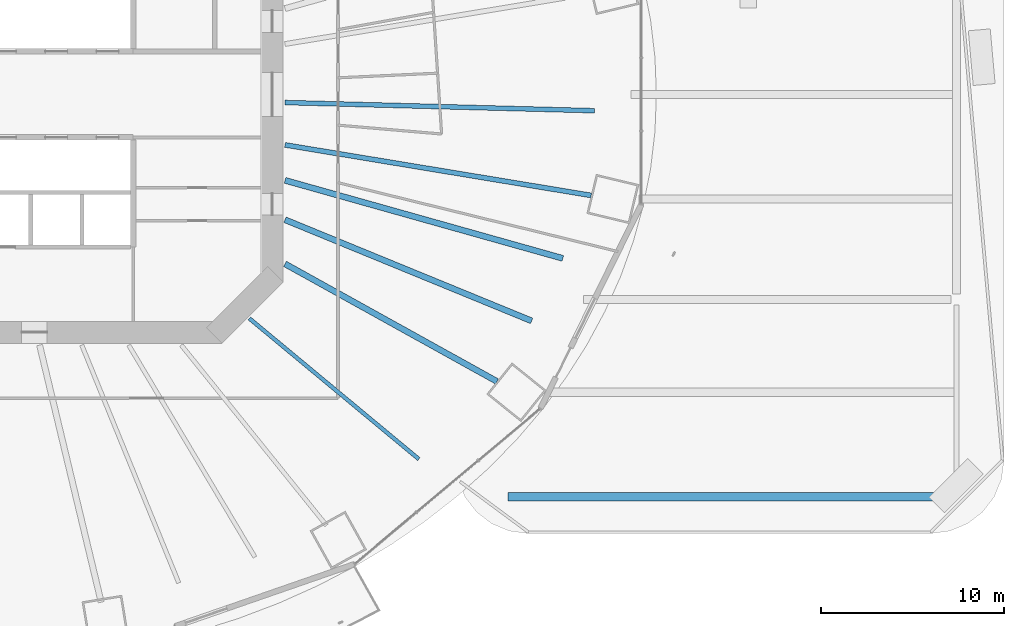
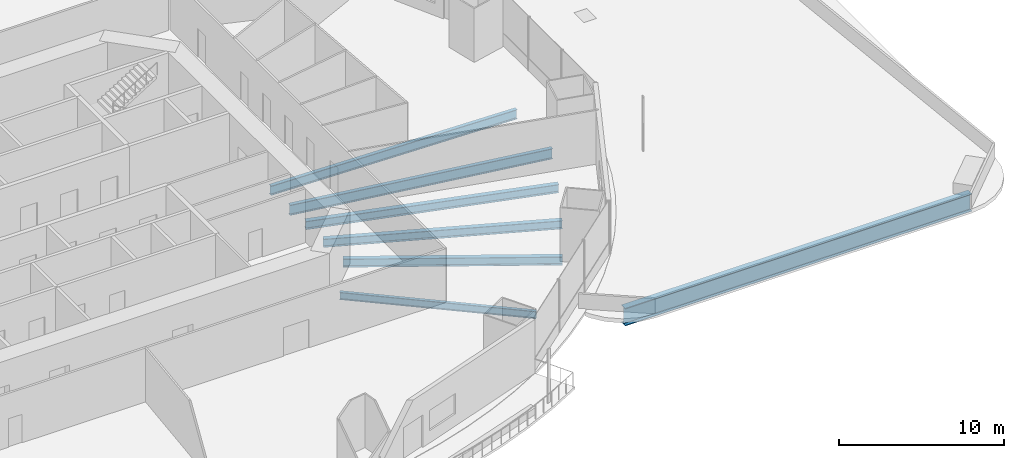
# One storey, part 12 of 27: 7 beams.
"""IFC4 building model written with IfcOpenShell, lengths in metres."""

from ifc_helpers import new_model, si_unit, direction, frame, origin, origin_2d, place, context, subcontext, project, spatial, i_section, extrude, material, material_profile, profile_set, type_object, element, save


model = new_model("IFC4")

# Units and contexts
model_context = context("Model", 3, precision=1e-05, world=origin(), true_north=direction((0.0, 1.0)))
body_context = subcontext(model_context, "Body", "Model", "MODEL_VIEW")
ifc_project = project(units=[si_unit("LENGTHUNIT", "METRE"), si_unit("AREAUNIT", "SQUARE_METRE"), si_unit("VOLUMEUNIT", "CUBIC_METRE"), si_unit("PLANEANGLEUNIT", "RADIAN"), si_unit("MASSUNIT", "GRAM", prefix="KILO")], contexts=[model_context])

# Site, building, storey
site_placement = place(None, origin())
site = spatial("IfcSite", under=ifc_project, at=site_placement, CompositionType="ELEMENT")
building_placement = place(site_placement, origin())
building = spatial("IfcBuilding", under=site, at=building_placement, Name="Marenthal Gate Tower", CompositionType="ELEMENT")
storey_placement = place(building_placement, frame((0.0, 0.0, 33.0)))
storey = spatial("IfcBuildingStorey", under=building, at=storey_placement, Name="L04", CompositionType="ELEMENT", Elevation=33.0)

# Beams
ifc_material_1 = material(Name="Steel S355", Category="steel")
ifc_material_profile_1 = material_profile(ifc_material_1, i_section(OverallWidth=0.4599609375, OverallDepth=1.300048828125, WebThickness=0.02490234375, FlangeThickness=0.044921875, at=origin_2d()), Name="PLATE GIRDER 1300X460X25X45")
ifc_profile_set_1 = profile_set([ifc_material_profile_1], Name="Steel S355")
beam_type_1 = type_object("IfcBeamType", Name="PLATE GIRDER 1300X460X25X45 beam", PredefinedType="BEAM", material=ifc_profile_set_1)
beam_1_placement = place(storey_placement, frame((28.89990234375, -22.0, -0.989990234375), z_axis=(1.0, 0.0, 0.0), x_axis=(0.0, 1.0, 0.0)))
element("IfcBeam", 1, at=beam_1_placement, inside=storey, type_object=beam_type_1, Name="BM-L04-104", PredefinedType="BEAM", context=body_context, shape_type="SweptSolid", body=[
    extrude(i_section(OverallWidth=0.4599609375, OverallDepth=1.300048828125, WebThickness=0.02490234375, FlangeThickness=0.044921875, at=origin_2d()), origin(), (0.0, 0.0, 1.0), 24.2001953125),
])
ifc_material_2 = material(Name="Steel S355", Category="steel")
ifc_material_profile_2 = material_profile(ifc_material_2, i_section(OverallWidth=0.2119140625, OverallDepth=0.5439453125, WebThickness=0.01318359375, FlangeThickness=0.021240234375, FilletRadius=0.0126953125, at=origin_2d()), Name="W530X123")
ifc_profile_set_2 = profile_set([ifc_material_profile_2], Name="Steel S355")
beam_type_2 = type_object("IfcBeamType", Name="W530X123 beam", PredefinedType="BEAM", material=ifc_profile_set_2)
beam_2_placement = place(storey_placement, frame((24.014404296875, -19.9326171875, -0.451904296875), z_axis=(-0.76947943944, 0.638671584055, 0.0), x_axis=(-0.638671584055, -0.76947943944, 0.0)))
element("IfcBeam", 2, at=beam_2_placement, inside=storey, type_object=beam_type_2, Name="BM-L04-37", PredefinedType="BEAM", context=body_context, shape_type="SweptSolid", body=[
    extrude(i_section(OverallWidth=0.2119140625, OverallDepth=0.5439453125, WebThickness=0.01318359375, FlangeThickness=0.021240234375, FilletRadius=0.0126953125, at=origin_2d()), origin(), (0.0, 0.0, 1.0), 12.0419921875),
])
ifc_material_3 = material(Name="Steel S355", Category="steel")
ifc_material_profile_3 = material_profile(ifc_material_3, i_section(OverallWidth=0.324951171875, OverallDepth=0.612060546875, WebThickness=0.0126953125, FlangeThickness=0.01904296875, FilletRadius=0.0126953125, at=origin_2d()), Name="W610X155")
ifc_profile_set_3 = profile_set([ifc_material_profile_3], Name="Steel S355")
beam_type_3 = type_object("IfcBeamType", Name="W610X155 beam", PredefinedType="BEAM", material=ifc_profile_set_3)
beam_3_placement = place(storey_placement, frame((28.285888671875, -15.6875, -0.486083984375), z_axis=(-0.874512560522, 0.485002867506, 0.0), x_axis=(-0.485002867506, -0.874512560522, 0.0)))
element("IfcBeam", 3, at=beam_3_placement, inside=storey, type_object=beam_type_3, Name="BM-L04-15", PredefinedType="BEAM", context=body_context, shape_type="SweptSolid", body=[
    extrude(i_section(OverallWidth=0.324951171875, OverallDepth=0.612060546875, WebThickness=0.0126953125, FlangeThickness=0.01904296875, FilletRadius=0.0126953125, at=origin_2d()), origin(), (0.0, 0.0, 1.0), 13.24853515625),
])
beam_4_placement = place(storey_placement, frame((30.18017578125, -12.376953125, -0.486083984375), z_axis=(-0.925223376973, 0.379422854746, 0.0), x_axis=(-0.379422854746, -0.925223376973, 0.0)))
element("IfcBeam", 4, at=beam_4_placement, inside=storey, type_object=beam_type_3, Name="BM-L04-38", PredefinedType="BEAM", context=body_context, shape_type="SweptSolid", body=[
    extrude(i_section(OverallWidth=0.324951171875, OverallDepth=0.612060546875, WebThickness=0.0126953125, FlangeThickness=0.01904296875, FilletRadius=0.0126953125, at=origin_2d()), origin(), (0.0, 0.0, 1.0), 14.569580078125),
])
beam_5_placement = place(storey_placement, frame((31.884521484375, -8.961181640625, -0.486083984375), z_axis=(-0.962701855146, 0.27056448048, 0.0), x_axis=(-0.27056448048, -0.962701855146, 0.0)))
element("IfcBeam", 5, at=beam_5_placement, inside=storey, type_object=beam_type_3, Name="BM-L04-39", PredefinedType="BEAM", context=body_context, shape_type="SweptSolid", body=[
    extrude(i_section(OverallWidth=0.324951171875, OverallDepth=0.612060546875, WebThickness=0.0126953125, FlangeThickness=0.01904296875, FilletRadius=0.0126953125, at=origin_2d()), origin(), (0.0, 0.0, 1.0), 15.77294921875),
])
ifc_material_4 = material(Name="Steel S355", Category="steel")
ifc_material_profile_4 = material_profile(ifc_material_4, i_section(OverallWidth=0.257080078125, OverallDepth=0.693115234375, WebThickness=0.014404296875, FlangeThickness=0.023681640625, FilletRadius=0.015380859375, at=origin_2d()), Name="W690X170")
ifc_profile_set_4 = profile_set([ifc_material_profile_4], Name="Steel S355")
beam_type_4 = type_object("IfcBeamType", Name="W690X170 beam", PredefinedType="BEAM", material=ifc_profile_set_4)
beam_6_placement = place(storey_placement, frame((33.62158203125, -0.88818359375, -0.526611328125), z_axis=(-0.999651249269, 0.026407950216, 0.0), x_axis=(-0.026407950216, -0.999651249269, 0.0)))
element("IfcBeam", 6, at=beam_6_placement, inside=storey, type_object=beam_type_4, Name="BM-L04-40", PredefinedType="BEAM", context=body_context, shape_type="SweptSolid", body=[
    extrude(i_section(OverallWidth=0.257080078125, OverallDepth=0.693115234375, WebThickness=0.014404296875, FlangeThickness=0.023681640625, FilletRadius=0.015380859375, at=origin_2d()), origin(), (0.0, 0.0, 1.0), 16.927490234375),
])
ifc_material_5 = material(Name="Steel S355", Category="steel")
ifc_material_profile_5 = material_profile(ifc_material_5, i_section(OverallWidth=0.26708984375, OverallDepth=0.761962890625, WebThickness=0.014404296875, FlangeThickness=0.021484375, FilletRadius=0.0166015625, at=origin_2d()), Name="W760X173")
ifc_profile_set_5 = profile_set([ifc_material_profile_5], Name="Steel S355")
beam_type_5 = type_object("IfcBeamType", Name="W760X173 beam", PredefinedType="BEAM", material=ifc_profile_set_5)
beam_7_placement = place(storey_placement, frame((33.434814453125, -5.52001953125, -0.56103515625), z_axis=(-0.986643309881, 0.162895607883, 0.0), x_axis=(-0.162895607883, -0.986643309881, 0.0)))
element("IfcBeam", 7, at=beam_7_placement, inside=storey, type_object=beam_type_5, Name="BM-L04-16", PredefinedType="BEAM", context=body_context, shape_type="SweptSolid", body=[
    extrude(i_section(OverallWidth=0.26708984375, OverallDepth=0.761962890625, WebThickness=0.014404296875, FlangeThickness=0.021484375, FilletRadius=0.0166015625, at=origin_2d()), origin(), (0.0, 0.0, 1.0), 16.96142578125),
])

save(model, "model.ifc")
